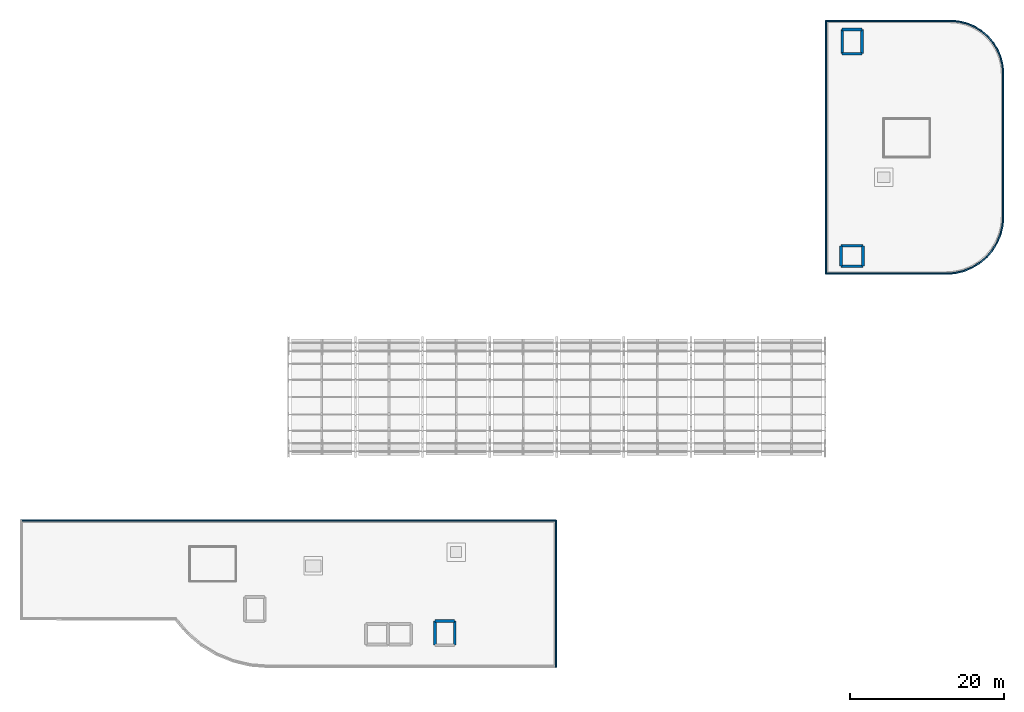
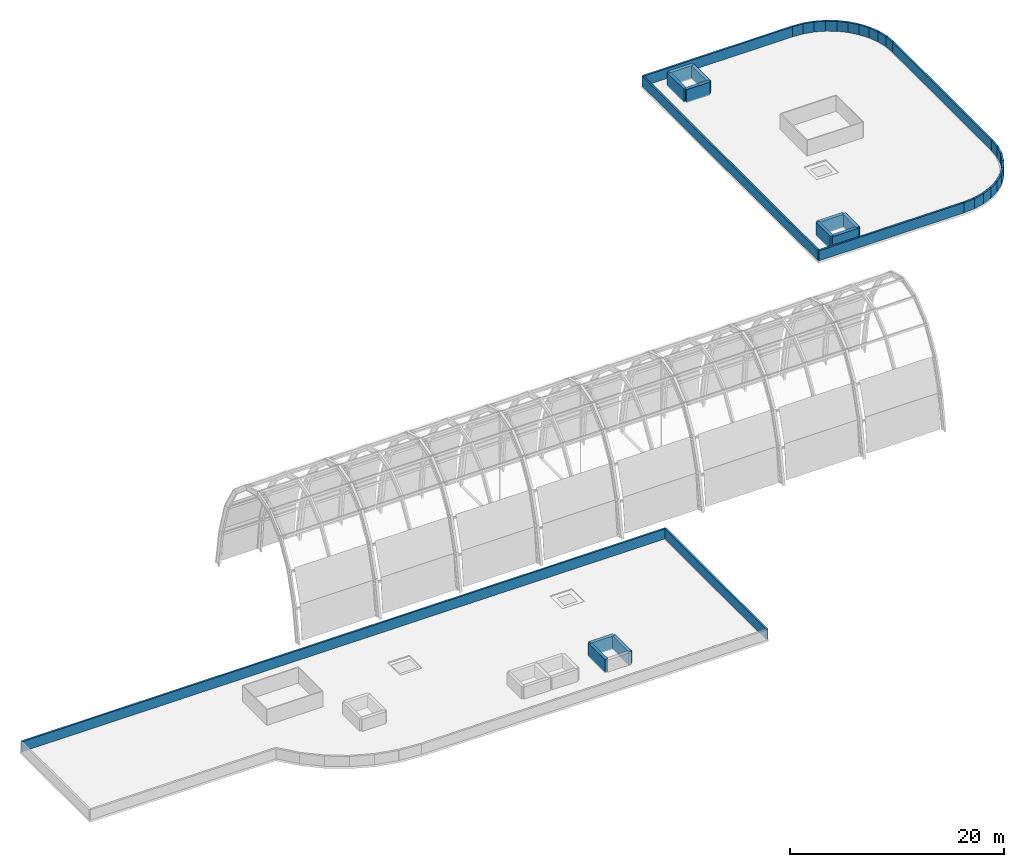
# One storey, part 12 of 13: 37 walls.
"""IFC4 building model written with IfcOpenShell, lengths in metres."""

from ifc_helpers import new_model, si_unit, derived_unit, direction, frame, frame_2d, origin, place, context, subcontext, project, spatial, rectangle, extrude, material, layer, layer_set, type_object, element, save


model = new_model("IFC4")

# Units and contexts
model_context = context("Model", 3, precision=1e-05, world=origin(), true_north=direction((0.0, 1.0)))
body_context = subcontext(model_context, "Body", "Model", "MODEL_VIEW")
ifc_project = project(units=[si_unit("LENGTHUNIT", "METRE"), si_unit("AREAUNIT", "SQUARE_METRE"), si_unit("VOLUMEUNIT", "CUBIC_METRE"), si_unit("PLANEANGLEUNIT", "RADIAN"), si_unit("MASSUNIT", "GRAM", prefix="KILO"), derived_unit("THERMALTRANSMITTANCEUNIT", [(si_unit("MASSUNIT", "GRAM", prefix="KILO"), 1), (si_unit("TIMEUNIT", "SECOND"), -3), (si_unit("THERMODYNAMICTEMPERATUREUNIT", "KELVIN"), -1)])], contexts=[model_context])

# Site, building, storey
site_placement = place(None, origin())
site = spatial("IfcSite", under=ifc_project, at=site_placement, CompositionType="ELEMENT")
building_placement = place(site_placement, origin())
building = spatial("IfcBuilding", under=site, at=building_placement, Name="Qinzheling Arcade Emporium", CompositionType="ELEMENT")
storey_placement = place(building_placement, frame((0.0, 0.0, 41.10009765625)))
storey = spatial("IfcBuildingStorey", under=building, at=storey_placement, Name="RF", CompositionType="ELEMENT", Elevation=41.10009765625)

# Walls
ifc_material_1 = material(Name="Precast concrete C40", Category="concrete")
ifc_layer_1 = layer(ifc_material_1, 0.195068359375, Name="Precast concrete C40", Category="concrete")
ifc_layer_set_1 = layer_set([ifc_layer_1], Name="Precast concrete C40")
wall_type_1 = type_object("IfcWallType", Name="Cornice Shade Roof Parapet 195", PredefinedType="PARAPET", material=ifc_layer_set_1)
wall_1_placement = place(storey_placement, frame((0.097900390625, 41.903076171875, 0.0), z_axis=(0.0, 0.0, 1.0), x_axis=(1.0, 0.0, 0.0)))
element("IfcWall", 1, at=wall_1_placement, inside=storey, type_object=wall_type_1, Name="Roof Parapet WL-RF-PW-067", PredefinedType="PARAPET", context=body_context, shape_type="SweptSolid", body=[
    extrude(rectangle(XDim=69.404052734375, YDim=0.195068359375, at=frame_2d((34.7021484375, 0.0))), origin(), (0.0, 0.0, 1.0), 1.14990234375),
])
wall_2_placement = place(storey_placement, frame((69.501953125, 41.903076171875, 0.0), z_axis=(0.0, 0.0, 1.0), x_axis=(0.0, -1.0, 0.0)))
element("IfcWall", 2, at=wall_2_placement, inside=storey, type_object=wall_type_1, Name="Roof Parapet WL-RF-PW-068", PredefinedType="PARAPET", context=body_context, shape_type="SweptSolid", body=[
    extrude(rectangle(XDim=19.005126953125, YDim=0.195068359375, at=frame_2d((9.50244140625, 0.0))), origin(), (0.0, 0.0, 1.0), 1.14990234375),
])
wall_3_placement = place(storey_placement, frame((104.498046875, 106.702880859375, 0.0), z_axis=(0.0, 0.0, 1.0), x_axis=(1.0, 0.0, 0.0)))
element("IfcWall", 3, at=wall_3_placement, inside=storey, type_object=wall_type_1, Name="Roof Parapet WL-RF-PW-078", PredefinedType="PARAPET", context=body_context, shape_type="SweptSolid", body=[
    extrude(rectangle(XDim=16.097900390625, YDim=0.195068359375, at=frame_2d((8.048828125, 0.0))), origin(), (0.0, 0.0, 1.0), 1.14990234375),
])
wall_4_placement = place(storey_placement, frame((120.595947265625, 106.702880859375, 0.0), z_axis=(0.0, 0.0, 1.0), x_axis=(0.996872134694, -0.079031304372, 0.0)))
element("IfcWall", 4, at=wall_4_placement, inside=storey, type_object=wall_type_1, Name="Roof Parapet WL-RF-PW-079", PredefinedType="PARAPET", context=body_context, shape_type="SweptSolid", body=[
    extrude(rectangle(XDim=1.08740234375, YDim=0.195068359375, at=frame_2d((0.543701171875, 0.0))), origin(), (0.0, 0.0, 1.0), 1.14990234375),
])
wall_5_placement = place(storey_placement, frame((121.679931640625, 106.616943359375, 0.0), z_axis=(0.0, 0.0, 1.0), x_axis=(0.972342263194, -0.233560534354, 0.0)))
element("IfcWall", 5, at=wall_5_placement, inside=storey, type_object=wall_type_1, Name="Roof Parapet WL-RF-PW-080", PredefinedType="PARAPET", context=body_context, shape_type="SweptSolid", body=[
    extrude(rectangle(XDim=1.0830078125, YDim=0.195068359375, at=frame_2d((0.54150390625, 0.0))), origin(), (0.0, 0.0, 1.0), 1.14990234375),
])
wall_6_placement = place(storey_placement, frame((122.73291015625, 106.364013671875, 0.0), z_axis=(0.0, 0.0, 1.0), x_axis=(0.924060758393, -0.382245621033, 0.0)))
element("IfcWall", 6, at=wall_6_placement, inside=storey, type_object=wall_type_1, Name="Roof Parapet WL-RF-PW-081", PredefinedType="PARAPET", context=body_context, shape_type="SweptSolid", body=[
    extrude(rectangle(XDim=1.083251953125, YDim=0.195068359375, at=frame_2d((0.54150390625, 0.0))), origin(), (0.0, 0.0, 1.0), 1.14990234375),
])
wall_7_placement = place(storey_placement, frame((123.73388671875, 105.949951171875, 0.0), z_axis=(0.0, 0.0, 1.0), x_axis=(0.852539674435, -0.522662513975, 0.0)))
element("IfcWall", 7, at=wall_7_placement, inside=storey, type_object=wall_type_1, Name="Roof Parapet WL-RF-PW-082", PredefinedType="PARAPET", context=body_context, shape_type="SweptSolid", body=[
    extrude(rectangle(XDim=1.082763671875, YDim=0.195068359375, at=frame_2d((0.54150390625, 0.0))), origin(), (0.0, 0.0, 1.0), 1.14990234375),
])
for number, where, z_axis, x_axis, name in (
    (8, (124.656982421875, 105.384033203125, 0.0), (0.0, 0.0, 1.0), (0.760686645348, -0.649119270697, 0.0), "Roof Parapet WL-RF-PW-083"),
    (9, (125.48095703125, 104.680908203125, 0.0), (0.0, 0.0, 1.0), (0.649119270697, -0.760686645348, 0.0), "Roof Parapet WL-RF-PW-084"),
):
    element("IfcWall", number, at=place(storey_placement, frame(where, z_axis=z_axis, x_axis=x_axis)), inside=storey, type_object=wall_type_1, Name=name, PredefinedType="PARAPET", context=body_context, shape_type="SweptSolid", body=[
        extrude(rectangle(XDim=1.083251953125, YDim=0.195068359375, at=frame_2d((0.54150390625, 0.0))), origin(), (0.0, 0.0, 1.0), 1.14990234375),
    ])
wall_8_placement = place(storey_placement, frame((126.18408203125, 103.85693359375, 0.0), z_axis=(0.0, 0.0, 1.0), x_axis=(0.522763001389, -0.852478060937, 0.0)))
element("IfcWall", 10, at=wall_8_placement, inside=storey, type_object=wall_type_1, Name="Roof Parapet WL-RF-PW-085", PredefinedType="PARAPET", context=body_context, shape_type="SweptSolid", body=[
    extrude(rectangle(XDim=1.08251953125, YDim=0.195068359375, at=frame_2d((0.541259765625, 0.0))), origin(), (0.0, 0.0, 1.0), 1.14990234375),
])
for number, where, z_axis, x_axis, name in (
    (11, (126.75, 102.93408203125, 0.0), (0.0, 0.0, 1.0), (0.382245621033, -0.924060758393, 0.0), "Roof Parapet WL-RF-PW-086"),
    (12, (127.1640625, 101.93310546875, 0.0), (0.0, 0.0, 1.0), (0.233509346623, -0.972354557268, 0.0), "Roof Parapet WL-RF-PW-087"),
):
    element("IfcWall", number, at=place(storey_placement, frame(where, z_axis=z_axis, x_axis=x_axis)), inside=storey, type_object=wall_type_1, Name=name, PredefinedType="PARAPET", context=body_context, shape_type="SweptSolid", body=[
        extrude(rectangle(XDim=1.083251953125, YDim=0.195068359375, at=frame_2d((0.54150390625, 0.0))), origin(), (0.0, 0.0, 1.0), 1.14990234375),
    ])
wall_9_placement = place(storey_placement, frame((127.4169921875, 100.8798828125, 0.0), z_axis=(0.0, 0.0, 1.0), x_axis=(0.078138736078, -0.996942494793, 0.0)))
element("IfcWall", 13, at=wall_9_placement, inside=storey, type_object=wall_type_1, Name="Roof Parapet WL-RF-PW-088", PredefinedType="PARAPET", context=body_context, shape_type="SweptSolid", body=[
    extrude(rectangle(XDim=1.08740234375, YDim=0.195068359375, at=frame_2d((0.543701171875, 0.0))), origin(), (0.0, 0.0, 1.0), 1.14990234375),
])
wall_10_placement = place(storey_placement, frame((127.501953125, 99.7958984375, 0.0), z_axis=(0.0, 0.0, 1.0), x_axis=(0.0, -1.0, 0.0)))
element("IfcWall", 14, at=wall_10_placement, inside=storey, type_object=wall_type_1, Name="Roof Parapet WL-RF-PW-089", PredefinedType="PARAPET", context=body_context, shape_type="SweptSolid", body=[
    extrude(rectangle(XDim=18.491943359375, YDim=0.195068359375, at=frame_2d((9.24609375, 0.0))), origin(), (0.0, 0.0, 1.0), 1.14990234375),
])
wall_11_placement = place(storey_placement, frame((127.501953125, 81.303955078125, 0.0), z_axis=(0.0, 0.0, 1.0), x_axis=(-0.078138173358, -0.996942538898, 0.0)))
element("IfcWall", 15, at=wall_11_placement, inside=storey, type_object=wall_type_1, Name="Roof Parapet WL-RF-PW-090", PredefinedType="PARAPET", context=body_context, shape_type="SweptSolid", body=[
    extrude(rectangle(XDim=1.16552734375, YDim=0.195068359375, at=frame_2d((0.582763671875, 0.0))), origin(), (0.0, 0.0, 1.0), 1.14990234375),
])
wall_12_placement = place(storey_placement, frame((127.410888671875, 80.14208984375, 0.0), z_axis=(0.0, 0.0, 1.0), x_axis=(-0.233182260446, -0.972433048293, 0.0)))
element("IfcWall", 16, at=wall_12_placement, inside=storey, type_object=wall_type_1, Name="Roof Parapet WL-RF-PW-091", PredefinedType="PARAPET", context=body_context, shape_type="SweptSolid", body=[
    extrude(rectangle(XDim=1.162109375, YDim=0.195068359375, at=frame_2d((0.5810546875, 0.0))), origin(), (0.0, 0.0, 1.0), 1.14990234375),
])
wall_13_placement = place(storey_placement, frame((127.139892578125, 79.011962890625, 0.0), z_axis=(0.0, 0.0, 1.0), x_axis=(-0.382240366409, -0.924062931995, 0.0)))
element("IfcWall", 17, at=wall_13_placement, inside=storey, type_object=wall_type_1, Name="Roof Parapet WL-RF-PW-092", PredefinedType="PARAPET", context=body_context, shape_type="SweptSolid", body=[
    extrude(rectangle(XDim=1.1611328125, YDim=0.195068359375, at=frame_2d((0.58056640625, 0.0))), origin(), (0.0, 0.0, 1.0), 1.14990234375),
])
wall_14_placement = place(storey_placement, frame((126.696044921875, 77.93896484375, 0.0), z_axis=(0.0, 0.0, 1.0), x_axis=(-0.523040535393, -0.852307807271, 0.0)))
element("IfcWall", 18, at=wall_14_placement, inside=storey, type_object=wall_type_1, Name="Roof Parapet WL-RF-PW-093", PredefinedType="PARAPET", context=body_context, shape_type="SweptSolid", body=[
    extrude(rectangle(XDim=1.160400390625, YDim=0.195068359375, at=frame_2d((0.580078125, 0.0))), origin(), (0.0, 0.0, 1.0), 1.14990234375),
])
for number, where, z_axis, x_axis, name in (
    (19, (126.089111328125, 76.949951171875, 0.0), (0.0, 0.0, 1.0), (-0.649493438121, -0.760367196714, 0.0), "Roof Parapet WL-RF-PW-094"),
    (20, (125.333984375, 76.06591796875, 0.0), (0.0, 0.0, 1.0), (-0.760470904561, -0.649372006877, 0.0), "Roof Parapet WL-RF-PW-095"),
):
    element("IfcWall", number, at=place(storey_placement, frame(where, z_axis=z_axis, x_axis=x_axis)), inside=storey, type_object=wall_type_1, Name=name, PredefinedType="PARAPET", context=body_context, shape_type="SweptSolid", body=[
        extrude(rectangle(XDim=1.16259765625, YDim=0.195068359375, at=frame_2d((0.581298828125, 0.0))), origin(), (0.0, 0.0, 1.0), 1.14990234375),
    ])
wall_15_placement = place(storey_placement, frame((124.449951171875, 75.31103515625, 0.0), z_axis=(0.0, 0.0, 1.0), x_axis=(-0.852307807271, -0.523040535393, 0.0)))
element("IfcWall", 21, at=wall_15_placement, inside=storey, type_object=wall_type_1, Name="Roof Parapet WL-RF-PW-096", PredefinedType="PARAPET", context=body_context, shape_type="SweptSolid", body=[
    extrude(rectangle(XDim=1.160400390625, YDim=0.195068359375, at=frame_2d((0.580078125, 0.0))), origin(), (0.0, 0.0, 1.0), 1.14990234375),
])
wall_16_placement = place(storey_placement, frame((123.4609375, 74.7041015625, 0.0), z_axis=(0.0, 0.0, 1.0), x_axis=(-0.923988656111, -0.382419878377, 0.0)))
element("IfcWall", 22, at=wall_16_placement, inside=storey, type_object=wall_type_1, Name="Roof Parapet WL-RF-PW-097", PredefinedType="PARAPET", context=body_context, shape_type="SweptSolid", body=[
    extrude(rectangle(XDim=1.161376953125, YDim=0.195068359375, at=frame_2d((0.58056640625, 0.0))), origin(), (0.0, 0.0, 1.0), 1.14990234375),
])
wall_17_placement = place(storey_placement, frame((122.387939453125, 74.260009765625, 0.0), z_axis=(0.0, 0.0, 1.0), x_axis=(-0.97242162223, -0.233229905072, 0.0)))
element("IfcWall", 23, at=wall_17_placement, inside=storey, type_object=wall_type_1, Name="Roof Parapet WL-RF-PW-098", PredefinedType="PARAPET", context=body_context, shape_type="SweptSolid", body=[
    extrude(rectangle(XDim=1.161865234375, YDim=0.195068359375, at=frame_2d((0.5810546875, 0.0))), origin(), (0.0, 0.0, 1.0), 1.14990234375),
])
wall_18_placement = place(storey_placement, frame((121.258056640625, 73.989013671875, 0.0), z_axis=(0.0, 0.0, 1.0), x_axis=(-0.996878226182, -0.078954430939, 0.0)))
element("IfcWall", 24, at=wall_18_placement, inside=storey, type_object=wall_type_1, Name="Roof Parapet WL-RF-PW-099", PredefinedType="PARAPET", context=body_context, shape_type="SweptSolid", body=[
    extrude(rectangle(XDim=1.165771484375, YDim=0.195068359375, at=frame_2d((0.5830078125, 0.0))), origin(), (0.0, 0.0, 1.0), 1.14990234375),
])
wall_19_placement = place(storey_placement, frame((120.095947265625, 73.89697265625, 0.0), z_axis=(0.0, 0.0, 1.0), x_axis=(-1.0, 0.0, 0.0)))
element("IfcWall", 25, at=wall_19_placement, inside=storey, type_object=wall_type_1, Name="Roof Parapet WL-RF-PW-100", PredefinedType="PARAPET", context=body_context, shape_type="SweptSolid", body=[
    extrude(rectangle(XDim=15.597900390625, YDim=0.195068359375, at=frame_2d((7.798828125, 0.0))), origin(), (0.0, 0.0, 1.0), 1.14990234375),
])
wall_20_placement = place(storey_placement, frame((104.498046875, 73.89697265625, 0.0), z_axis=(0.0, 0.0, 1.0), x_axis=(0.0, 1.0, 0.0)))
element("IfcWall", 26, at=wall_20_placement, inside=storey, type_object=wall_type_1, Name="Roof Parapet WL-RF-PW-101", PredefinedType="PARAPET", context=body_context, shape_type="SweptSolid", body=[
    extrude(rectangle(XDim=32.805908203125, YDim=0.195068359375, at=frame_2d((16.40283203125, 0.0))), origin(), (0.0, 0.0, 1.0), 1.14990234375),
])
ifc_material_2 = material(Name="Concrete C40", Category="concrete")
ifc_layer_2 = layer(ifc_material_2, 0.35498046875, Name="Concrete C40", Category="concrete")
ifc_layer_set_2 = layer_set([ifc_layer_2], Name="Concrete C40")
wall_type_2 = type_object("IfcWallType", Name="Exterior Lift Overrun Shear Wall 355 C40", PredefinedType="SHEAR", material=ifc_layer_set_2)
wall_21_placement = place(storey_placement, frame((53.824951171875, 28.875, 0.0), z_axis=(0.0, 0.0, 1.0), x_axis=(1.0, 0.0, 0.0)))
element("IfcWall", 27, at=wall_21_placement, inside=storey, type_object=wall_type_2, Name="Lift Overrun Wall WL-RF-OVR-LF01-N", PredefinedType="SHEAR", context=body_context, shape_type="SweptSolid", body=[
    extrude(rectangle(XDim=2.550048828125, YDim=0.35498046875, at=frame_2d((1.27490234375, 0.0))), origin(), (0.0, 0.0, 1.0), 1.5),
])
for number, where, z_axis, x_axis, name in (
    (28, (53.824951171875, 25.72509765625, 0.0), (0.0, 0.0, 1.0), (0.0, 1.0, 0.0), "Lift Overrun Wall WL-RF-OVR-LF01-W"),
    (29, (56.375, 28.875, 0.0), (0.0, 0.0, 1.0), (0.0, -1.0, 0.0), "Lift Overrun Wall WL-RF-OVR-LF01-E"),
):
    element("IfcWall", number, at=place(storey_placement, frame(where, z_axis=z_axis, x_axis=x_axis)), inside=storey, type_object=wall_type_2, Name=name, PredefinedType="SHEAR", context=body_context, shape_type="SweptSolid", body=[
        extrude(rectangle(XDim=3.14990234375, YDim=0.35498046875, at=frame_2d((1.574951171875, 0.0))), origin(), (0.0, 0.0, 1.0), 1.5),
    ])
for number, where, z_axis, x_axis, name in (
    (30, (106.625, 105.574951171875, 0.0), (0.0, 0.0, 1.0), (1.0, 0.0, 0.0), "Lift Overrun Wall WL-RF-OVR-LF03-N"),
    (31, (109.175048828125, 102.425048828125, 0.0), (0.0, 0.0, 1.0), (-1.0, 0.0, 0.0), "Lift Overrun Wall WL-RF-OVR-LF03-S"),
):
    element("IfcWall", number, at=place(storey_placement, frame(where, z_axis=z_axis, x_axis=x_axis)), inside=storey, type_object=wall_type_2, Name=name, PredefinedType="SHEAR", context=body_context, shape_type="SweptSolid", body=[
        extrude(rectangle(XDim=2.550048828125, YDim=0.35498046875, at=frame_2d((1.27490234375, 0.0))), origin(), (0.0, 0.0, 1.0), 1.5),
    ])
for number, where, z_axis, x_axis, name in (
    (32, (106.625, 102.425048828125, 0.0), (0.0, 0.0, 1.0), (0.0, 1.0, 0.0), "Lift Overrun Wall WL-RF-OVR-LF03-W"),
    (33, (109.175048828125, 105.574951171875, 0.0), (0.0, 0.0, 1.0), (0.0, -1.0, 0.0), "Lift Overrun Wall WL-RF-OVR-LF03-E"),
):
    element("IfcWall", number, at=place(storey_placement, frame(where, z_axis=z_axis, x_axis=x_axis)), inside=storey, type_object=wall_type_2, Name=name, PredefinedType="SHEAR", context=body_context, shape_type="SweptSolid", body=[
        extrude(rectangle(XDim=3.14990234375, YDim=0.35498046875, at=frame_2d((1.574951171875, 0.0))), origin(), (0.0, 0.0, 1.0), 1.5),
    ])
for number, where, z_axis, x_axis, name in (
    (34, (106.47509765625, 77.52490234375, 0.0), (0.0, 0.0, 1.0), (1.0, 0.0, 0.0), "Lift Overrun Wall WL-RF-OVR-LP06-N"),
    (35, (109.324951171875, 74.875, 0.0), (0.0, 0.0, 1.0), (-1.0, 0.0, 0.0), "Lift Overrun Wall WL-RF-OVR-LP06-S"),
):
    element("IfcWall", number, at=place(storey_placement, frame(where, z_axis=z_axis, x_axis=x_axis)), inside=storey, type_object=wall_type_2, Name=name, PredefinedType="SHEAR", context=body_context, shape_type="SweptSolid", body=[
        extrude(rectangle(XDim=2.849853515625, YDim=0.35498046875, at=frame_2d((1.4248046875, 0.0))), origin(), (0.0, 0.0, 1.0), 1.5),
    ])
for number, where, z_axis, x_axis, name in (
    (36, (106.47509765625, 74.875, 0.0), (0.0, 0.0, 1.0), (0.0, 1.0, 0.0), "Lift Overrun Wall WL-RF-OVR-LP06-W"),
    (37, (109.324951171875, 77.52490234375, 0.0), (0.0, 0.0, 1.0), (0.0, -1.0, 0.0), "Lift Overrun Wall WL-RF-OVR-LP06-E"),
):
    element("IfcWall", number, at=place(storey_placement, frame(where, z_axis=z_axis, x_axis=x_axis)), inside=storey, type_object=wall_type_2, Name=name, PredefinedType="SHEAR", context=body_context, shape_type="SweptSolid", body=[
        extrude(rectangle(XDim=2.64990234375, YDim=0.35498046875, at=frame_2d((1.324951171875, 0.0))), origin(), (0.0, 0.0, 1.0), 1.5),
    ])

save(model, "model.ifc")
